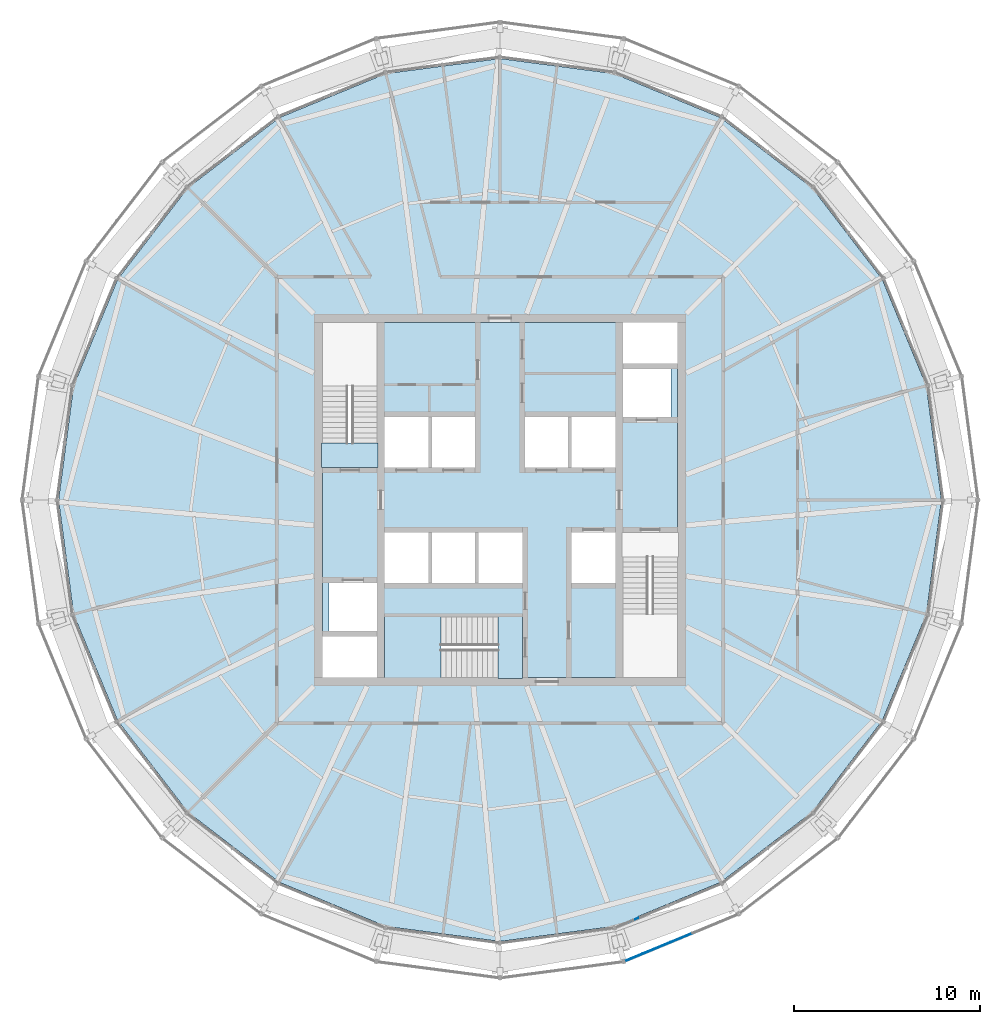
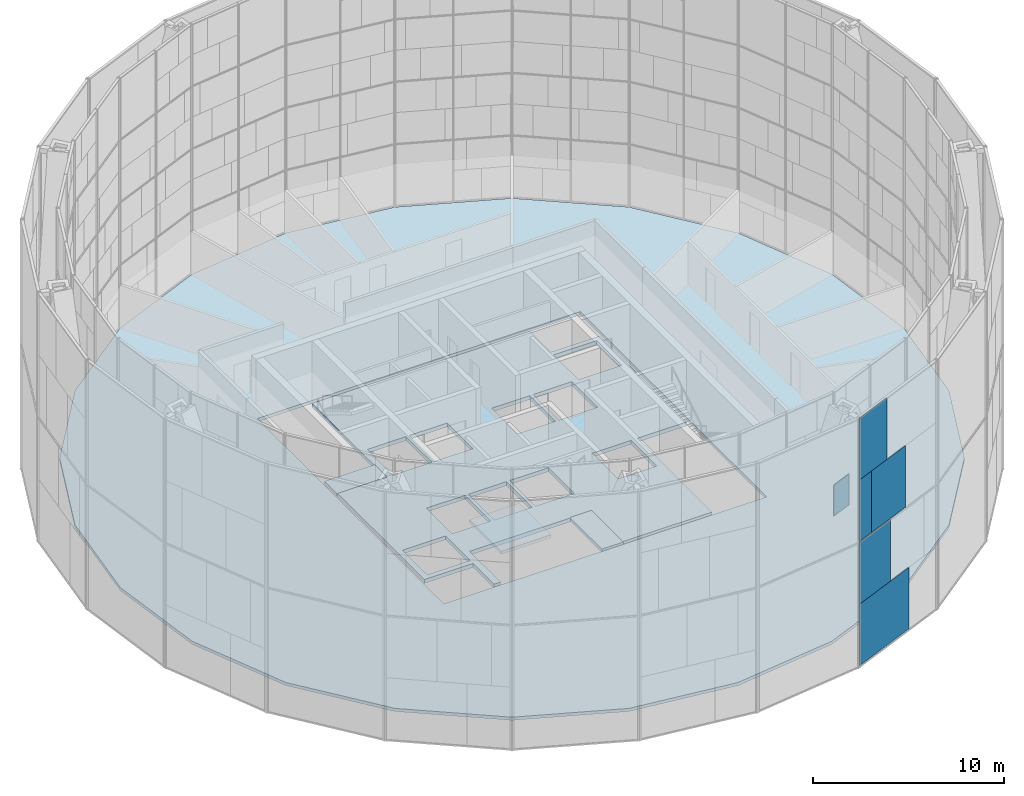
# One storey, part 16 of 28: 6 plates, 5 slabs, 3 elements without a shape of their own.
"""IFC4 building model written with IfcOpenShell, lengths in metres."""

from ifc_helpers import new_model, si_unit, direction, frame, origin, origin_2d, place, context, subcontext, project, spatial, polyline, rectangle, outline, extrude, material, layer, layer_set, type_object, element, aggregate, save


model = new_model("IFC4")

# Units and contexts
model_context = context("Model", 3, precision=1e-05, world=origin(), true_north=direction((0.0, 1.0)))
body_context = subcontext(model_context, "Body", "Model", "MODEL_VIEW")
ifc_project = project(units=[si_unit("LENGTHUNIT", "METRE"), si_unit("AREAUNIT", "SQUARE_METRE"), si_unit("VOLUMEUNIT", "CUBIC_METRE"), si_unit("PLANEANGLEUNIT", "RADIAN"), si_unit("MASSUNIT", "GRAM", prefix="KILO")], contexts=[model_context])

# Site, building, storey
site_placement = place(None, origin())
site = spatial("IfcSite", under=ifc_project, at=site_placement, CompositionType="ELEMENT")
building_placement = place(site_placement, origin())
building = spatial("IfcBuilding", under=site, at=building_placement, Name="Golbaran Civic Tower", CompositionType="ELEMENT")
storey_placement = place(building_placement, frame((0.0, 0.0, 183.0)))
storey = spatial("IfcBuildingStorey", under=building, at=storey_placement, Name="L44", CompositionType="ELEMENT", Elevation=183.0)

# Slabs
ifc_material_1 = material(Name="Concrete LC30/33 lightweight on steel deck", Category="concrete")
ifc_layer_1 = layer(ifc_material_1, 0.199951171875, Name="Concrete LC30/33 lightweight on steel deck")
ifc_layer_set_1 = layer_set([ifc_layer_1], Name="Concrete LC30/33 lightweight on steel deck")
slab_type_1 = type_object("IfcSlabType", Name="COMPOSITE FLOOR SLAB 200", PredefinedType="FLOOR", material=ifc_layer_set_1)
slab_1_placement = place(storey_placement, frame((0.0, 0.0, -0.199951171875)))
element("IfcSlab", 1, at=slab_1_placement, inside=storey, type_object=slab_type_1, Name="Floor slab L44", PredefinedType="FLOOR", context=body_context, shape_type="SweptSolid", body=[
    extrude(outline(polyline([(20.552001953125, -11.86572265625), (16.780517578125, -16.780517578125), (11.86572265625, -20.552001953125), (6.14208984375, -22.922607421875), (0.0, -23.731201171875), (-6.14208984375, -22.922607421875), (-11.86572265625, -20.552001953125), (-16.780517578125, -16.780517578125), (-20.552001953125, -11.86572265625), (-22.922607421875, -6.14208984375), (-23.731201171875, 0.0), (-22.922607421875, 6.14208984375), (-20.552001953125, 11.86572265625), (-16.780517578125, 16.780517578125), (-11.86572265625, 20.552001953125), (-6.14208984375, 22.922607421875), (0.0, 23.731201171875), (6.14208984375, 22.922607421875), (11.86572265625, 20.552001953125), (16.780517578125, 16.780517578125), (20.552001953125, 11.86572265625), (22.922607421875, 6.14208984375), (23.731201171875, 0.0), (22.922607421875, -6.14208984375), (20.552001953125, -11.86572265625)]), holes=[polyline([(-9.77490234375, 9.77490234375), (-9.77490234375, -9.77490234375), (9.77490234375, -9.77490234375), (9.77490234375, 9.77490234375), (-9.77490234375, 9.77490234375)])]), origin(), (0.0, 0.0, 1.0), 0.199951171875),
])
ifc_material_2 = material(Name="Concrete C35/45", Category="concrete")
ifc_layer_2 = layer(ifc_material_2, 0.25, Name="Concrete C35/45")
ifc_layer_set_2 = layer_set([ifc_layer_2], Name="Concrete C35/45")
slab_type_2 = type_object("IfcSlabType", Name="CORE FLOOR SLAB 250", PredefinedType="FLOOR", material=ifc_layer_set_2)
slab_2_placement = place(storey_placement, frame((0.0, 0.0, -0.25)))
element("IfcSlab", 2, at=slab_2_placement, inside=storey, type_object=slab_type_2, Name="Core floor slab L44", PredefinedType="FLOOR", context=body_context, shape_type="SweptSolid", body=[
    extrude(outline(polyline([(6.60009765625, -1.75), (6.60009765625, -9.550048828125), (1.199951171875, -9.550048828125), (1.199951171875, -6.300048828125), (-6.199951171875, -6.300048828125), (-6.199951171875, -9.550048828125), (-6.60009765625, -9.550048828125), (-6.60009765625, -7.35009765625), (-9.550048828125, -7.35009765625), (-9.550048828125, 1.75), (-6.60009765625, 1.75), (-6.60009765625, 9.550048828125), (6.60009765625, 9.550048828125), (6.60009765625, 7.35009765625), (9.550048828125, 7.35009765625), (9.550048828125, -1.75), (6.60009765625, -1.75)]), holes=[polyline([(9.199951171875, 7.050048828125), (6.60009765625, 7.050048828125), (6.60009765625, 4.449951171875), (9.199951171875, 4.449951171875), (9.199951171875, 7.050048828125)]), polyline([(6.199951171875, -1.75), (3.85009765625, -1.75), (3.85009765625, -4.449951171875), (6.199951171875, -4.449951171875), (6.199951171875, -1.75)]), polyline([(6.199951171875, 4.449951171875), (3.85009765625, 4.449951171875), (3.85009765625, 1.75), (6.199951171875, 1.75), (6.199951171875, 4.449951171875)]), polyline([(3.64990234375, 4.449951171875), (1.35009765625, 4.449951171875), (1.35009765625, 1.75), (3.64990234375, 1.75), (3.64990234375, 4.449951171875)]), polyline([(1.199951171875, -1.75), (-1.14990234375, -1.75), (-1.14990234375, -4.449951171875), (1.199951171875, -4.449951171875), (1.199951171875, -1.75)]), polyline([(-1.35009765625, 4.449951171875), (-3.64990234375, 4.449951171875), (-3.64990234375, 1.75), (-1.35009765625, 1.75), (-1.35009765625, 4.449951171875)]), polyline([(-1.35009765625, -1.75), (-3.64990234375, -1.75), (-3.64990234375, -4.449951171875), (-1.35009765625, -4.449951171875), (-1.35009765625, -1.75)]), polyline([(-3.85009765625, -1.75), (-6.199951171875, -1.75), (-6.199951171875, -4.449951171875), (-3.85009765625, -4.449951171875), (-3.85009765625, -1.75)]), polyline([(-3.85009765625, 4.449951171875), (-6.199951171875, 4.449951171875), (-6.199951171875, 1.75), (-3.85009765625, 1.75), (-3.85009765625, 4.449951171875)]), polyline([(-6.60009765625, -4.449951171875), (-9.199951171875, -4.449951171875), (-9.199951171875, -7.050048828125), (-6.60009765625, -7.050048828125), (-6.60009765625, -4.449951171875)])]), origin(), (0.0, 0.0, 1.0), 0.25),
])

# Curtain wall, plate
ifc_material_3 = material(Name="Aluminium and glass", Category="aluminium")
curtain_wall_type_1 = type_object("IfcCurtainWallType", Name="INNER SKIN CURTAIN WALL EXECUTIVE", PredefinedType="NOTDEFINED", material=ifc_material_3)
curtain_wall_1_placement = place(storey_placement, origin())
curtain_wall_1 = element("IfcCurtainWall", 3, at=curtain_wall_1_placement, inside=storey, type_object=curtain_wall_type_1, Name="Inner skin L44 facet 20 CW2", ObjectType="INNER SKIN", PredefinedType="USERDEFINED")
ifc_material_4 = material(Name="Clear insulating glass", Category="glass")
ifc_layer_3 = layer(ifc_material_4, 0.031982421875, Name="Clear insulating glass")
ifc_layer_set_3 = layer_set([ifc_layer_3], Name="Clear insulating glass")
plate_type_1 = type_object("IfcPlateType", Name="INNER SKIN CURTAIN WALL EXECUTIVE GLAZED PANEL", PredefinedType="CURTAIN_PANEL", material=ifc_layer_set_3)
plate_1_placement = place(storey_placement, frame((6.826904296875, -22.7255859375, 8.02978515625), z_axis=(0.0, 0.0, 1.0), x_axis=(0.923879532491, 0.382683432413, 0.0)))
plate_1 = element("IfcPlate", 4, at=plate_1_placement, type_object=plate_type_1, Name="CW2 panel 1.3 part 1", PredefinedType="CURTAIN_PANEL", context=body_context, shape_type="SweptSolid", body=[
    extrude(rectangle(XDim=1.31689453125, YDim=0.031982421875, at=origin_2d()), origin(), (0.0, 0.0, 1.0), 1.969970703125),
])
aggregate(curtain_wall_1, [plate_1])

# Curtain wall, plates
curtain_wall_type_2 = type_object("IfcCurtainWallType", Name="OUTER SKIN TERRACOTTA SCREEN", PredefinedType="NOTDEFINED", material=ifc_material_3)
curtain_wall_2_placement = place(storey_placement, origin())
curtain_wall_2 = element("IfcCurtainWall", 5, at=curtain_wall_2_placement, inside=storey, type_object=curtain_wall_type_2, Name="Outer skin L44 facet 20 CW3", ObjectType="OUTER SKIN", PredefinedType="USERDEFINED")
ifc_material_5 = material(Name="Clear laminated glass", Category="glass")
ifc_layer_4 = layer(ifc_material_5, 0.0400390625, Name="Clear laminated glass")
ifc_layer_set_4 = layer_set([ifc_layer_4], Name="Clear laminated glass")
plate_type_2 = type_object("IfcPlateType", Name="OUTER SKIN CLEAR GLASS PANEL", PredefinedType="CURTAIN_PANEL", material=ifc_layer_set_4)
plate_2_placement = place(storey_placement, frame((8.683837890625, -23.979248046875, -0.6298828125), z_axis=(0.0, 0.0, 1.0), x_axis=(0.923879532518, 0.382683432349, 0.0)))
plate_2 = element("IfcPlate", 6, at=plate_2_placement, type_object=plate_type_2, Name="CW3 panel 1.1 part 1", PredefinedType="CURTAIN_PANEL", context=body_context, shape_type="SweptSolid", body=[
    extrude(rectangle(XDim=4.240966796875, YDim=0.0400390625, at=origin_2d()), origin(), (0.0, 0.0, 1.0), 3.93994140625),
])
plate_3_placement = place(storey_placement, frame((7.949951171875, -24.283447265625, 3.31005859375), z_axis=(0.0, 0.0, 1.0), x_axis=(0.923879532518, 0.382683432349, 0.0)))
plate_3 = element("IfcPlate", 7, at=plate_3_placement, type_object=plate_type_2, Name="CW3 panel 1.1 part 3", PredefinedType="CURTAIN_PANEL", context=body_context, shape_type="SweptSolid", body=[
    extrude(rectangle(XDim=2.652099609375, YDim=0.0400390625, at=origin_2d()), origin(), (0.0, 0.0, 1.0), 3.93994140625),
])
plate_4_placement = place(storey_placement, frame((7.200927734375, -24.593505859375, 7.330078125), z_axis=(0.0, 0.0, 1.0), x_axis=(0.923879532518, 0.382683432349, 0.0)))
plate_4 = element("IfcPlate", 8, at=plate_4_placement, type_object=plate_type_2, Name="CW3 panel 1.2 part 1", PredefinedType="CURTAIN_PANEL", context=body_context, shape_type="SweptSolid", body=[
    extrude(rectangle(XDim=1.031005859375, YDim=0.0400390625, at=origin_2d()), origin(), (0.0, 0.0, 1.0), 3.93994140625),
])
ifc_material_6 = material(Name="Terracotta baguette screen", Category="masonry")
ifc_layer_5 = layer(ifc_material_6, 0.0400390625, Name="Terracotta baguette screen")
ifc_layer_set_5 = layer_set([ifc_layer_5], Name="Terracotta baguette screen")
plate_type_3 = type_object("IfcPlateType", Name="OUTER SKIN TERRACOTTA INFILL PANEL", PredefinedType="CURTAIN_PANEL", material=ifc_layer_set_5)
plate_5_placement = place(storey_placement, frame((9.016845703125, -23.84130859375, 7.330078125), z_axis=(0.0, 0.0, 1.0), x_axis=(0.923879532518, 0.382683432349, 0.0)))
plate_5 = element("IfcPlate", 9, at=plate_5_placement, type_object=plate_type_3, Name="CW3 infill panel 1.2 part 2", PredefinedType="CURTAIN_PANEL", context=body_context, shape_type="SweptSolid", body=[
    extrude(rectangle(XDim=2.89990234375, YDim=0.0400390625, at=origin_2d()), origin(), (0.0, 0.0, 1.0), 3.93994140625),
])
plate_6_placement = place(storey_placement, frame((7.8056640625, -24.343017578125, 11.27001953125), z_axis=(0.0, 0.0, 1.0), x_axis=(0.923879532518, 0.382683432349, 0.0)))
plate_6 = element("IfcPlate", 10, at=plate_6_placement, type_object=plate_type_3, Name="CW3 infill panel 1.2 part 4", PredefinedType="CURTAIN_PANEL", context=body_context, shape_type="SweptSolid", body=[
    extrude(rectangle(XDim=2.340087890625, YDim=0.0400390625, at=origin_2d()), origin(), (0.0, 0.0, 1.0), 3.93994140625),
])
aggregate(curtain_wall_2, [plate_2, plate_3, plate_4, plate_5, plate_6])

# Slab
ifc_layer_6 = layer(ifc_material_2, 0.199951171875, Name="Concrete C35/45")
ifc_layer_set_6 = layer_set([ifc_layer_6], Name="Concrete C35/45")
slab_type_3 = type_object("IfcSlabType", Name="STAIR LANDING 200", PredefinedType="LANDING", material=ifc_layer_set_6)
slab_3_placement = place(storey_placement, frame((0.0, 0.0, -0.199951171875)))
element("IfcSlab", 11, at=slab_3_placement, inside=storey, type_object=slab_type_3, Name="Stair S1 floor landing L44", PredefinedType="LANDING", context=body_context, shape_type="SweptSolid", body=[
    extrude(outline(polyline([(-9.60009765625, 1.75), (-9.60009765625, 3.054931640625), (-6.550048828125, 3.054931640625), (-6.550048828125, 1.75), (-9.60009765625, 1.75)])), origin(), (0.0, 0.0, 1.0), 0.199951171875),
])

# Stair, slab
stair_type = type_object("IfcStairType", Name="EXIT STAIR 3250 x 7400, 4000 RISE", PredefinedType="HALF_TURN_STAIR", material=ifc_material_2)
stair_placement = place(storey_placement, origin())
stair = element("IfcStair", 12, at=stair_placement, inside=storey, type_object=stair_type, Name="Stair S3 L44", PredefinedType="HALF_TURN_STAIR")
slab_4_placement = place(storey_placement, frame((0.0, 0.0, 1.800048828125)))
slab_4 = element("IfcSlab", 13, at=slab_4_placement, type_object=slab_type_3, Name="ST32574-40 landing 1", PredefinedType="LANDING", context=body_context, shape_type="SweptSolid", body=[
    extrude(outline(polyline([(-3.175048828125, -9.60009765625), (-6.199951171875, -9.60009765625), (-6.199951171875, -6.25), (-3.175048828125, -6.25), (-3.175048828125, -9.60009765625)])), origin(), (0.0, 0.0, 1.0), 0.199951171875),
])
aggregate(stair, [slab_4])

# Slab
slab_5_placement = place(storey_placement, frame((0.0, 0.0, -0.199951171875)))
element("IfcSlab", 14, at=slab_5_placement, inside=storey, type_object=slab_type_3, Name="Stair S3 floor landing L44", PredefinedType="LANDING", context=body_context, shape_type="SweptSolid", body=[
    extrude(outline(polyline([(1.199951171875, -9.60009765625), (-0.10498046875, -9.60009765625), (-0.10498046875, -6.25), (1.199951171875, -6.25), (1.199951171875, -9.60009765625)])), origin(), (0.0, 0.0, 1.0), 0.199951171875),
])

save(model, "model.ifc")
